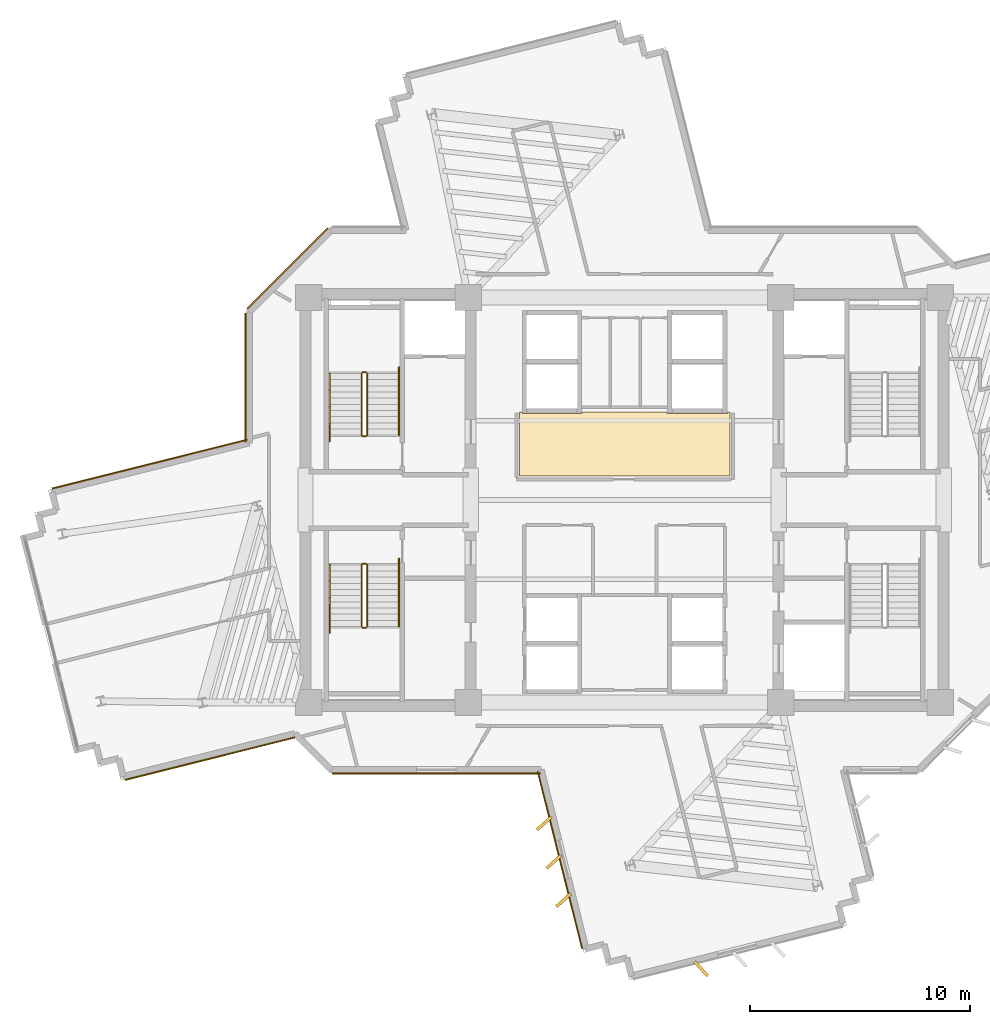
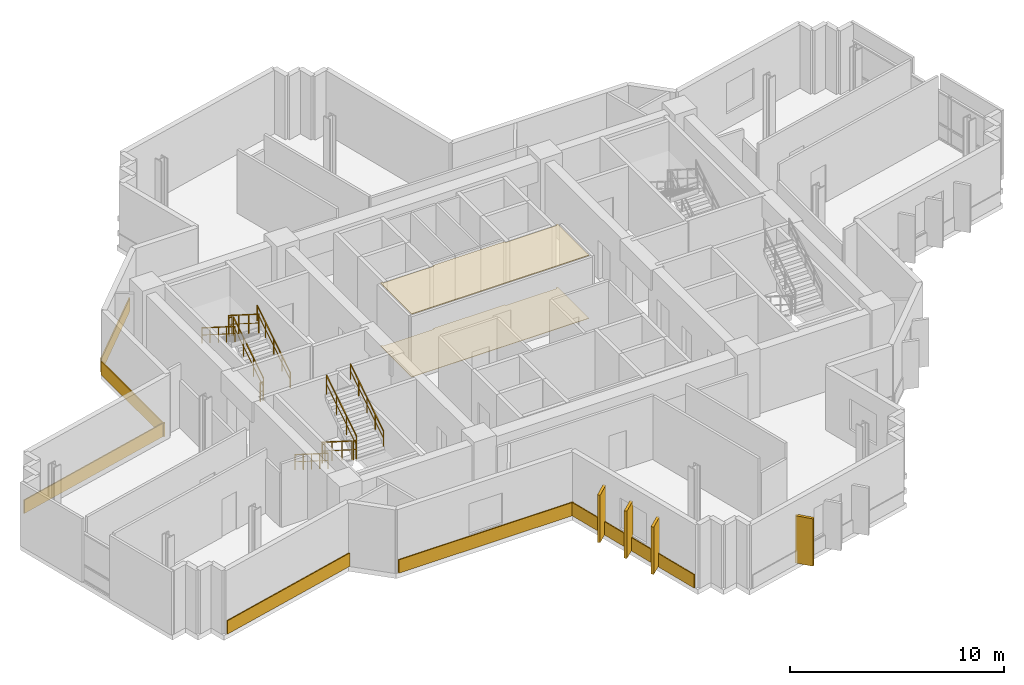
# One storey, part 11 of 13: 12 coverings, 12 railings.
"""IFC4 building model written with IfcOpenShell, lengths in metres."""

from ifc_helpers import new_model, si_unit, direction, frame, origin, origin_2d, place, context, subcontext, project, spatial, polyline, rectangle, outline, extrude, source, transform, mapped, material, layer, layer_set, type_object, element, save


model = new_model("IFC4")

# Units and contexts
model_context = context("Model", 3, precision=1e-05, world=origin(), true_north=direction((0.0, 1.0)))
body_context = subcontext(model_context, "Body", "Model", "MODEL_VIEW")
ifc_project = project(units=[si_unit("LENGTHUNIT", "METRE"), si_unit("AREAUNIT", "SQUARE_METRE"), si_unit("VOLUMEUNIT", "CUBIC_METRE"), si_unit("PLANEANGLEUNIT", "RADIAN"), si_unit("MASSUNIT", "GRAM", prefix="KILO")], contexts=[model_context])

# Site, building, storey
site_placement = place(None, origin())
site = spatial("IfcSite", under=ifc_project, at=site_placement, CompositionType="ELEMENT")
building_placement = place(site_placement, origin())
building = spatial("IfcBuilding", under=site, at=building_placement, Name="Zahravan Cultural Tower", CompositionType="ELEMENT")
storey_placement = place(building_placement, frame((0.0, 0.0, 182.39990234375)))
storey = spatial("IfcBuildingStorey", under=building, at=storey_placement, Name="L42", CompositionType="ELEMENT", Elevation=182.39990234375)

# Coverings
ifc_material_1 = material(Name="Acoustic mineral fibreboard")
ifc_layer_1 = layer(ifc_material_1, 0.0400390625)
ifc_layer_set_1 = layer_set([ifc_layer_1], Name="Acoustic mineral fibreboard")
covering_type_1 = type_object("IfcCoveringType", Name="COV-CEIL-AC20", PredefinedType="CEILING", material=ifc_layer_set_1)
covering_1_placement = place(storey_placement, frame((0.0, 0.0, 3.580078125)))
element("IfcCovering", 1, at=covering_1_placement, inside=storey, type_object=covering_type_1, Name="L42 Acoustic Suspended Ceiling", PredefinedType="CEILING", context=body_context, shape_type="SweptSolid", body=[
    extrude(outline(polyline([(31.219970703125, 31.0), (31.219970703125, 28.080078125), (40.780029296875, 28.080078125), (40.780029296875, 31.0), (40.669921875, 31.0), (40.669921875, 30.929931640625), (37.929931640625, 30.929931640625), (37.929931640625, 31.0), (34.070068359375, 31.0), (34.070068359375, 30.929931640625), (31.330078125, 30.929931640625), (31.330078125, 31.0), (31.219970703125, 31.0)])), origin(), (0.0, 0.0, 1.0), 0.0400390625),
])
ifc_material_2 = material(Name="Terrazzo flooring")
ifc_layer_2 = layer(ifc_material_2, 0.02490234375)
ifc_layer_set_2 = layer_set([ifc_layer_2], Name="Terrazzo flooring")
covering_type_2 = type_object("IfcCoveringType", Name="COV-FLR-TZ25", PredefinedType="FLOORING", material=ifc_layer_set_2)
covering_2_placement = place(storey_placement, origin())
element("IfcCovering", 2, at=covering_2_placement, inside=storey, type_object=covering_type_2, Name="L42 Polished Terrazzo Flooring", PredefinedType="FLOORING", context=body_context, shape_type="SweptSolid", body=[
    extrude(outline(polyline([(31.219970703125, 31.0), (31.219970703125, 28.080078125), (40.780029296875, 28.080078125), (40.780029296875, 31.0), (40.669921875, 31.0), (40.669921875, 30.929931640625), (37.929931640625, 30.929931640625), (37.929931640625, 31.0), (34.070068359375, 31.0), (34.070068359375, 30.929931640625), (31.330078125, 30.929931640625), (31.330078125, 31.0), (31.219970703125, 31.0)])), origin(), (0.0, 0.0, 1.0), 0.025146484375),
])

# Railings
ifc_material_3 = material(Name="Steel ASTM A572 Grade 50", Category="steel")
railing_type_1 = type_object("IfcRailingType", Name="RL-STAIR-GRD1150", PredefinedType="BALUSTRADE", material=ifc_material_3)
railing_1_placement = place(storey_placement, frame((24.300048828125, 29.949951171875, 0.177490234375)))
element("IfcRailing", 3, at=railing_1_placement, inside=storey, type_object=railing_type_1, Name="L42 ST-W1 stair guard 1", PredefinedType="BALUSTRADE", context=body_context, shape_type="SweptSolid", body=[
    extrude(rectangle(XDim=0.05, YDim=0.05, at=origin_2d()), frame((0.0, 0.0, 1.0751953125), z_axis=(0.0, 0.844908973607, 0.534910110503), x_axis=(-1.0, 0.0, 0.0)), (0.0, 0.0, 1.0), 3.31396484375),
    extrude(rectangle(XDim=0.032, YDim=0.032, at=origin_2d()), frame((0.0, 0.0, 0.572021484375), z_axis=(0.0, 0.844908973607, 0.534910110503), x_axis=(-1.0, 0.0, 0.0)), (0.0, 0.0, 1.0), 3.31396484375),
    extrude(rectangle(XDim=0.04, YDim=0.04, at=origin_2d()), origin(), (0.0, 0.0, 1.0), 1.10009765625),
    extrude(rectangle(XDim=0.04, YDim=0.04, at=origin_2d()), frame((0.0, 0.933349609375, 0.5908203125)), (0.0, 0.0, 1.0), 1.10009765625),
    extrude(rectangle(XDim=0.04, YDim=0.04, at=origin_2d()), frame((0.0, 1.86669921875, 1.181884765625)), (0.0, 0.0, 1.0), 1.10009765625),
    extrude(rectangle(XDim=0.04, YDim=0.04, at=origin_2d()), frame((0.0, 2.800048828125, 1.772705078125)), (0.0, 0.0, 1.0), 1.10009765625),
])
railing_2_placement = place(storey_placement, frame((24.25, 32.800048828125, 1.9501953125)))
element("IfcRailing", 4, at=railing_2_placement, inside=storey, type_object=railing_type_1, Name="L42 ST-W1 stair guard 2", PredefinedType="BALUSTRADE", context=body_context, shape_type="SweptSolid", body=[
    extrude(rectangle(XDim=0.05, YDim=0.05, at=origin_2d()), frame((0.0, 0.0, 1.0751953125), z_axis=(-1.0, 0.0, 0.0), x_axis=(0.0, -1.0, 0.0)), (0.0, 0.0, 1.0), 0.14990234375),
    extrude(rectangle(XDim=0.032, YDim=0.032, at=origin_2d()), frame((0.0, 0.0, 0.572021484375), z_axis=(-1.0, 0.0, 0.0), x_axis=(0.0, -1.0, 0.0)), (0.0, 0.0, 1.0), 0.14990234375),
    extrude(rectangle(XDim=0.04, YDim=0.04, at=origin_2d()), origin(), (0.0, 0.0, 1.0), 1.10009765625),
    extrude(rectangle(XDim=0.04, YDim=0.04, at=origin_2d()), frame((-0.14990234375, 0.0, 0.0)), (0.0, 0.0, 1.0), 1.10009765625),
])
railing_3_placement = place(storey_placement, frame((24.050048828125, 32.75, 2.12744140625)))
element("IfcRailing", 5, at=railing_3_placement, inside=storey, type_object=railing_type_1, Name="L42 ST-W1 stair guard 3", PredefinedType="BALUSTRADE", context=body_context, shape_type="SweptSolid", body=[
    extrude(rectangle(XDim=0.05, YDim=0.05, at=origin_2d()), frame((0.0, 0.0, 1.0751953125), z_axis=(0.0, -0.844908973607, 0.534910110503), x_axis=(1.0, 0.0, 0.0)), (0.0, 0.0, 1.0), 3.31396484375),
    extrude(rectangle(XDim=0.032, YDim=0.032, at=origin_2d()), frame((0.0, 0.0, 0.572021484375), z_axis=(0.0, -0.844908973607, 0.534910110503), x_axis=(1.0, 0.0, 0.0)), (0.0, 0.0, 1.0), 3.31396484375),
    extrude(rectangle(XDim=0.04, YDim=0.04, at=origin_2d()), origin(), (0.0, 0.0, 1.0), 1.10009765625),
    extrude(rectangle(XDim=0.04, YDim=0.04, at=origin_2d()), frame((0.0, -0.933349609375, 0.5908203125)), (0.0, 0.0, 1.0), 1.10009765625),
    extrude(rectangle(XDim=0.04, YDim=0.04, at=origin_2d()), frame((0.0, -1.86669921875, 1.181884765625)), (0.0, 0.0, 1.0), 1.10009765625),
    extrude(rectangle(XDim=0.04, YDim=0.04, at=origin_2d()), frame((0.0, -2.800048828125, 1.772705078125)), (0.0, 0.0, 1.0), 1.10009765625),
])
railing_4_placement = place(storey_placement, frame((24.25, 29.89990234375, 0.0)))
element("IfcRailing", 6, at=railing_4_placement, inside=storey, type_object=railing_type_1, Name="L42 ST-W1 stair guard 4", PredefinedType="BALUSTRADE", context=body_context, shape_type="SweptSolid", body=[
    extrude(rectangle(XDim=0.05, YDim=0.05, at=origin_2d()), frame((0.0, 0.0, 1.0751953125), z_axis=(-1.0, 0.0, 0.0), x_axis=(0.0, -1.0, 0.0)), (0.0, 0.0, 1.0), 0.14990234375),
    extrude(rectangle(XDim=0.032, YDim=0.032, at=origin_2d()), frame((0.0, 0.0, 0.572021484375), z_axis=(-1.0, 0.0, 0.0), x_axis=(0.0, -1.0, 0.0)), (0.0, 0.0, 1.0), 0.14990234375),
    extrude(rectangle(XDim=0.04, YDim=0.04, at=origin_2d()), origin(), (0.0, 0.0, 1.0), 1.10009765625),
    extrude(rectangle(XDim=0.04, YDim=0.04, at=origin_2d()), frame((-0.14990234375, 0.0, 0.0)), (0.0, 0.0, 1.0), 1.10009765625),
])
railing_5_placement = place(storey_placement, frame((24.050048828125, 24.050048828125, 0.177490234375)))
element("IfcRailing", 7, at=railing_5_placement, inside=storey, type_object=railing_type_1, Name="L42 ST-W2 stair guard 1", PredefinedType="BALUSTRADE", context=body_context, shape_type="SweptSolid", body=[
    extrude(rectangle(XDim=0.05, YDim=0.05, at=origin_2d()), frame((0.0, 0.0, 1.0751953125), z_axis=(0.0, -0.844908973607, 0.534910110503), x_axis=(1.0, 0.0, 0.0)), (0.0, 0.0, 1.0), 3.31396484375),
    extrude(rectangle(XDim=0.032, YDim=0.032, at=origin_2d()), frame((0.0, 0.0, 0.572021484375), z_axis=(0.0, -0.844908973607, 0.534910110503), x_axis=(1.0, 0.0, 0.0)), (0.0, 0.0, 1.0), 3.31396484375),
    extrude(rectangle(XDim=0.04, YDim=0.04, at=origin_2d()), origin(), (0.0, 0.0, 1.0), 1.10009765625),
    extrude(rectangle(XDim=0.04, YDim=0.04, at=origin_2d()), frame((0.0, -0.933349609375, 0.5908203125)), (0.0, 0.0, 1.0), 1.10009765625),
    extrude(rectangle(XDim=0.04, YDim=0.04, at=origin_2d()), frame((0.0, -1.86669921875, 1.181884765625)), (0.0, 0.0, 1.0), 1.10009765625),
    extrude(rectangle(XDim=0.04, YDim=0.04, at=origin_2d()), frame((0.0, -2.800048828125, 1.772705078125)), (0.0, 0.0, 1.0), 1.10009765625),
])
railing_6_placement = place(storey_placement, frame((24.10009765625, 21.199951171875, 1.9501953125)))
element("IfcRailing", 8, at=railing_6_placement, inside=storey, type_object=railing_type_1, Name="L42 ST-W2 stair guard 2", PredefinedType="BALUSTRADE", context=body_context, shape_type="SweptSolid", body=[
    extrude(rectangle(XDim=0.05, YDim=0.05, at=origin_2d()), frame((0.0, 0.0, 1.0751953125), z_axis=(1.0, 0.0, 0.0), x_axis=(0.0, 1.0, 0.0)), (0.0, 0.0, 1.0), 0.14990234375),
    extrude(rectangle(XDim=0.032, YDim=0.032, at=origin_2d()), frame((0.0, 0.0, 0.572021484375), z_axis=(1.0, 0.0, 0.0), x_axis=(0.0, 1.0, 0.0)), (0.0, 0.0, 1.0), 0.14990234375),
    extrude(rectangle(XDim=0.04, YDim=0.04, at=origin_2d()), origin(), (0.0, 0.0, 1.0), 1.10009765625),
    extrude(rectangle(XDim=0.04, YDim=0.04, at=origin_2d()), frame((0.14990234375, 0.0, 0.0)), (0.0, 0.0, 1.0), 1.10009765625),
])
railing_7_placement = place(storey_placement, frame((24.300048828125, 21.25, 2.12744140625)))
element("IfcRailing", 9, at=railing_7_placement, inside=storey, type_object=railing_type_1, Name="L42 ST-W2 stair guard 3", PredefinedType="BALUSTRADE", context=body_context, shape_type="SweptSolid", body=[
    extrude(rectangle(XDim=0.05, YDim=0.05, at=origin_2d()), frame((0.0, 0.0, 1.0751953125), z_axis=(0.0, 0.844908973607, 0.534910110503), x_axis=(-1.0, 0.0, 0.0)), (0.0, 0.0, 1.0), 3.31396484375),
    extrude(rectangle(XDim=0.032, YDim=0.032, at=origin_2d()), frame((0.0, 0.0, 0.572021484375), z_axis=(0.0, 0.844908973607, 0.534910110503), x_axis=(-1.0, 0.0, 0.0)), (0.0, 0.0, 1.0), 3.31396484375),
    extrude(rectangle(XDim=0.04, YDim=0.04, at=origin_2d()), origin(), (0.0, 0.0, 1.0), 1.10009765625),
    extrude(rectangle(XDim=0.04, YDim=0.04, at=origin_2d()), frame((0.0, 0.933349609375, 0.5908203125)), (0.0, 0.0, 1.0), 1.10009765625),
    extrude(rectangle(XDim=0.04, YDim=0.04, at=origin_2d()), frame((0.0, 1.86669921875, 1.181884765625)), (0.0, 0.0, 1.0), 1.10009765625),
    extrude(rectangle(XDim=0.04, YDim=0.04, at=origin_2d()), frame((0.0, 2.800048828125, 1.772705078125)), (0.0, 0.0, 1.0), 1.10009765625),
])
railing_8_placement = place(storey_placement, frame((24.10009765625, 24.10009765625, 0.0)))
element("IfcRailing", 10, at=railing_8_placement, inside=storey, type_object=railing_type_1, Name="L42 ST-W2 stair guard 4", PredefinedType="BALUSTRADE", context=body_context, shape_type="SweptSolid", body=[
    extrude(rectangle(XDim=0.05, YDim=0.05, at=origin_2d()), frame((0.0, 0.0, 1.0751953125), z_axis=(1.0, 0.0, 0.0), x_axis=(0.0, 1.0, 0.0)), (0.0, 0.0, 1.0), 0.14990234375),
    extrude(rectangle(XDim=0.032, YDim=0.032, at=origin_2d()), frame((0.0, 0.0, 0.572021484375), z_axis=(1.0, 0.0, 0.0), x_axis=(0.0, 1.0, 0.0)), (0.0, 0.0, 1.0), 0.14990234375),
    extrude(rectangle(XDim=0.04, YDim=0.04, at=origin_2d()), origin(), (0.0, 0.0, 1.0), 1.10009765625),
    extrude(rectangle(XDim=0.04, YDim=0.04, at=origin_2d()), frame((0.14990234375, 0.0, 0.0)), (0.0, 0.0, 1.0), 1.10009765625),
])
railing_type_2 = type_object("IfcRailingType", Name="RL-STAIR-HR900", PredefinedType="HANDRAIL", material=ifc_material_3)
railing_9_placement = place(storey_placement, frame((25.75, 29.949951171875, 0.177490234375)))
element("IfcRailing", 11, at=railing_9_placement, inside=storey, type_object=railing_type_2, Name="L42 ST-W1 stair handrail 1", PredefinedType="HANDRAIL", context=body_context, shape_type="SweptSolid", body=[
    extrude(rectangle(XDim=0.05, YDim=0.05, at=origin_2d()), frame((0.0, 0.0, 0.875), z_axis=(0.0, 0.844913916606, 0.534902302785), x_axis=(-1.0, 0.0, 0.0)), (0.0, 0.0, 1.0), 3.6455078125),
    extrude(rectangle(XDim=0.032, YDim=0.032, at=origin_2d()), frame((0.0, 0.0, 0.468017578125), z_axis=(0.0, 0.844913916606, 0.534902302785), x_axis=(-1.0, 0.0, 0.0)), (0.0, 0.0, 1.0), 3.6455078125),
    extrude(rectangle(XDim=0.04, YDim=0.04, at=origin_2d()), origin(), (0.0, 0.0, 1.0), 0.89990234375),
    extrude(rectangle(XDim=0.04, YDim=0.04, at=origin_2d()), frame((0.0, 0.77001953125, 0.487548828125)), (0.0, 0.0, 1.0), 0.89990234375),
    extrude(rectangle(XDim=0.04, YDim=0.04, at=origin_2d()), frame((0.0, 1.5400390625, 0.97509765625)), (0.0, 0.0, 1.0), 0.89990234375),
    extrude(rectangle(XDim=0.04, YDim=0.04, at=origin_2d()), frame((0.0, 2.31005859375, 1.46240234375)), (0.0, 0.0, 1.0), 0.89990234375),
    extrude(rectangle(XDim=0.04, YDim=0.04, at=origin_2d()), frame((0.0, 3.080078125, 1.949951171875)), (0.0, 0.0, 1.0), 0.89990234375),
])
for number, where, name in (
    (12, (22.60009765625, 32.75, 2.12744140625), "L42 ST-W1 stair handrail 2"),
    (13, (22.60009765625, 24.050048828125, 0.177490234375), "L42 ST-W2 stair handrail 1"),
):
    element("IfcRailing", number, at=place(storey_placement, frame(where)), inside=storey, type_object=railing_type_2, Name=name, PredefinedType="HANDRAIL", context=body_context, shape_type="SweptSolid", body=[
        extrude(rectangle(XDim=0.05, YDim=0.05, at=origin_2d()), frame((0.0, 0.0, 0.875), z_axis=(0.0, -0.844913916606, 0.534902302785), x_axis=(1.0, 0.0, 0.0)), (0.0, 0.0, 1.0), 3.6455078125),
        extrude(rectangle(XDim=0.032, YDim=0.032, at=origin_2d()), frame((0.0, 0.0, 0.468017578125), z_axis=(0.0, -0.844913916606, 0.534902302785), x_axis=(1.0, 0.0, 0.0)), (0.0, 0.0, 1.0), 3.6455078125),
        extrude(rectangle(XDim=0.04, YDim=0.04, at=origin_2d()), origin(), (0.0, 0.0, 1.0), 0.89990234375),
        extrude(rectangle(XDim=0.04, YDim=0.04, at=origin_2d()), frame((0.0, -0.77001953125, 0.487548828125)), (0.0, 0.0, 1.0), 0.89990234375),
        extrude(rectangle(XDim=0.04, YDim=0.04, at=origin_2d()), frame((0.0, -1.5400390625, 0.97509765625)), (0.0, 0.0, 1.0), 0.89990234375),
        extrude(rectangle(XDim=0.04, YDim=0.04, at=origin_2d()), frame((0.0, -2.31005859375, 1.46240234375)), (0.0, 0.0, 1.0), 0.89990234375),
        extrude(rectangle(XDim=0.04, YDim=0.04, at=origin_2d()), frame((0.0, -3.080078125, 1.949951171875)), (0.0, 0.0, 1.0), 0.89990234375),
    ])
railing_10_placement = place(storey_placement, frame((25.75, 21.25, 2.12744140625)))
element("IfcRailing", 14, at=railing_10_placement, inside=storey, type_object=railing_type_2, Name="L42 ST-W2 stair handrail 2", PredefinedType="HANDRAIL", context=body_context, shape_type="SweptSolid", body=[
    extrude(rectangle(XDim=0.05, YDim=0.05, at=origin_2d()), frame((0.0, 0.0, 0.875), z_axis=(0.0, 0.844913916606, 0.534902302785), x_axis=(-1.0, 0.0, 0.0)), (0.0, 0.0, 1.0), 3.6455078125),
    extrude(rectangle(XDim=0.032, YDim=0.032, at=origin_2d()), frame((0.0, 0.0, 0.468017578125), z_axis=(0.0, 0.844913916606, 0.534902302785), x_axis=(-1.0, 0.0, 0.0)), (0.0, 0.0, 1.0), 3.6455078125),
    extrude(rectangle(XDim=0.04, YDim=0.04, at=origin_2d()), origin(), (0.0, 0.0, 1.0), 0.89990234375),
    extrude(rectangle(XDim=0.04, YDim=0.04, at=origin_2d()), frame((0.0, 0.77001953125, 0.487548828125)), (0.0, 0.0, 1.0), 0.89990234375),
    extrude(rectangle(XDim=0.04, YDim=0.04, at=origin_2d()), frame((0.0, 1.5400390625, 0.97509765625)), (0.0, 0.0, 1.0), 0.89990234375),
    extrude(rectangle(XDim=0.04, YDim=0.04, at=origin_2d()), frame((0.0, 2.31005859375, 1.46240234375)), (0.0, 0.0, 1.0), 0.89990234375),
    extrude(rectangle(XDim=0.04, YDim=0.04, at=origin_2d()), frame((0.0, 3.080078125, 1.949951171875)), (0.0, 0.0, 1.0), 0.89990234375),
])

# Coverings
ifc_material_4 = material(Name="Terracotta ceramic cladding", Category="masonry")
ifc_layer_3 = layer(ifc_material_4, 0.06005859375)
ifc_layer_set_3 = layer_set([ifc_layer_3], Name="Terracotta ceramic cladding")
covering_type_3 = type_object("IfcCoveringType", Name="COV-CLAD-TC60", PredefinedType="CLADDING", material=ifc_layer_set_3)
shared_shape_1 = source(origin(), body_context, "Body", "SweptSolid", [
    extrude(rectangle(XDim=5.157958984375, YDim=0.06005859375, at=origin_2d()), origin(), (0.0, 0.0, 1.0), 0.760009765625),
])
covering_3_placement = place(storey_placement, frame((20.682373046875, 37.517578125, 0.02001953125), z_axis=(0.0, 0.0, 1.0), x_axis=(0.707106781187, 0.707106781187, 0.0)))
element("IfcCovering", 15, at=covering_3_placement, inside=storey, type_object=covering_type_3, Name="L42 Terracotta Spandrel Cladding 38", PredefinedType="CLADDING", context=body_context, shape_type="MappedRepresentation", body=[
    mapped(shared_shape_1, transform((0.0, 0.0, 0.0), x_axis=(1.0, 0.0, 0.0), y_axis=(0.0, 1.0, 0.0), z_axis=(0.0, 0.0, 1.0), scale=1.0)),
])
shared_shape_2 = source(origin(), body_context, "Body", "SweptSolid", [
    extrude(rectangle(XDim=0.8798828125, YDim=0.139892578125, at=origin_2d()), origin(), (0.0, 0.0, 1.0), 2.699951171875),
])
for number, where, z_axis, x_axis, name in (
    (16, (39.4794921875, 5.697021484375, 0.05029296875), (0.0, 0.0, 1.0), (0.669908458766, -0.742443706198, 0.0), "L42 Herringbone Terracotta Fin 15"),
    (17, (33.224609375, 8.815673828125, 0.05029296875), (0.0, 0.0, 1.0), (-0.742455398194, -0.669895500577, 0.0), "L42 Herringbone Terracotta Fin 16"),
    (18, (32.787353515625, 10.561767578125, 0.05029296875), (0.0, 0.0, 1.0), (-0.742455398194, -0.669895500577, 0.0), "L42 Herringbone Terracotta Fin 17"),
    (19, (32.35009765625, 12.307861328125, 0.05029296875), (0.0, 0.0, 1.0), (-0.742455398194, -0.669895500577, 0.0), "L42 Herringbone Terracotta Fin 18"),
):
    element("IfcCovering", number, at=place(storey_placement, frame(where, z_axis=z_axis, x_axis=x_axis)), inside=storey, type_object=covering_type_3, Name=name, PredefinedType="CLADDING", context=body_context, shape_type="MappedRepresentation", body=[
        mapped(shared_shape_2, transform((0.0, 0.0, 0.0), x_axis=(1.0, 0.0, 0.0), y_axis=(0.0, 1.0, 0.0), z_axis=(0.0, 0.0, 1.0), scale=1.0)),
    ])
shared_shape_3 = source(origin(), body_context, "Body", "SweptSolid", [
    extrude(rectangle(XDim=7.945556640625, YDim=0.06005859375, at=origin_2d()), origin(), (0.0, 0.0, 1.0), 0.760009765625),
])
covering_4_placement = place(storey_placement, frame((17.154052734375, 15.244384765625, 0.02001953125), z_axis=(0.0, 0.0, 1.0), x_axis=(-0.970041854282, -0.242937854074, 0.0)))
element("IfcCovering", 20, at=covering_4_placement, inside=storey, type_object=covering_type_3, Name="L42 Terracotta Spandrel Cladding 27", PredefinedType="CLADDING", context=body_context, shape_type="MappedRepresentation", body=[
    mapped(shared_shape_3, transform((0.0, 0.0, 0.0), x_axis=(1.0, 0.0, 0.0), y_axis=(0.0, 1.0, 0.0), z_axis=(0.0, 0.0, 1.0), scale=1.0)),
])
shared_shape_4 = source(origin(), body_context, "Body", "SweptSolid", [
    extrude(rectangle(XDim=9.14111328125, YDim=0.06005859375, at=origin_2d()), origin(), (0.0, 0.0, 1.0), 0.760009765625),
])
covering_5_placement = place(storey_placement, frame((14.417724609375, 28.630615234375, 0.02001953125), z_axis=(0.0, 0.0, 1.0), x_axis=(0.970046094199, 0.242920923613, 0.0)))
element("IfcCovering", 21, at=covering_5_placement, inside=storey, type_object=covering_type_3, Name="L42 Terracotta Spandrel Cladding 36", PredefinedType="CLADDING", context=body_context, shape_type="MappedRepresentation", body=[
    mapped(shared_shape_4, transform((0.0, 0.0, 0.0), x_axis=(1.0, 0.0, 0.0), y_axis=(0.0, 1.0, 0.0), z_axis=(0.0, 0.0, 1.0), scale=1.0)),
])
shared_shape_5 = source(origin(), body_context, "Body", "SweptSolid", [
    extrude(rectangle(XDim=5.848876953125, YDim=0.06005859375, at=origin_2d()), origin(), (0.0, 0.0, 1.0), 0.760009765625),
])
covering_6_placement = place(storey_placement, frame((18.77490234375, 32.5673828125, 0.02001953125), z_axis=(0.0, 0.0, 1.0), x_axis=(0.0, 1.0, 0.0)))
element("IfcCovering", 22, at=covering_6_placement, inside=storey, type_object=covering_type_3, Name="L42 Terracotta Spandrel Cladding 37", PredefinedType="CLADDING", context=body_context, shape_type="MappedRepresentation", body=[
    mapped(shared_shape_5, transform((0.0, 0.0, 0.0), x_axis=(1.0, 0.0, 0.0), y_axis=(0.0, 1.0, 0.0), z_axis=(0.0, 0.0, 1.0), scale=1.0)),
])
shared_shape_6 = source(origin(), body_context, "Body", "SweptSolid", [
    extrude(rectangle(XDim=8.289306640625, YDim=0.06005859375, at=origin_2d()), origin(), (0.0, 0.0, 1.0), 0.760009765625),
])
covering_7_placement = place(storey_placement, frame((33.063720703125, 10.630859375, 0.02001953125), z_axis=(0.0, 0.0, 1.0), x_axis=(-0.242920923613, 0.970046094199, 0.0)))
element("IfcCovering", 23, at=covering_7_placement, inside=storey, type_object=covering_type_3, Name="L42 Terracotta Spandrel Cladding 24", PredefinedType="CLADDING", context=body_context, shape_type="MappedRepresentation", body=[
    mapped(shared_shape_6, transform((0.0, 0.0, 0.0), x_axis=(1.0, 0.0, 0.0), y_axis=(0.0, 1.0, 0.0), z_axis=(0.0, 0.0, 1.0), scale=1.0)),
])
shared_shape_7 = source(origin(), body_context, "Body", "SweptSolid", [
    extrude(rectangle(XDim=9.44677734375, YDim=0.06005859375, at=origin_2d()), origin(), (0.0, 0.0, 1.0), 0.760009765625),
])
covering_8_placement = place(storey_placement, frame((27.431396484375, 14.574951171875, 0.02001953125), z_axis=(0.0, 0.0, 1.0), x_axis=(-1.0, 0.0, 0.0)))
element("IfcCovering", 24, at=covering_8_placement, inside=storey, type_object=covering_type_3, Name="L42 Terracotta Spandrel Cladding 25", PredefinedType="CLADDING", context=body_context, shape_type="MappedRepresentation", body=[
    mapped(shared_shape_7, transform((0.0, 0.0, 0.0), x_axis=(1.0, 0.0, 0.0), y_axis=(0.0, 1.0, 0.0), z_axis=(0.0, 0.0, 1.0), scale=1.0)),
])

save(model, "model.ifc")
